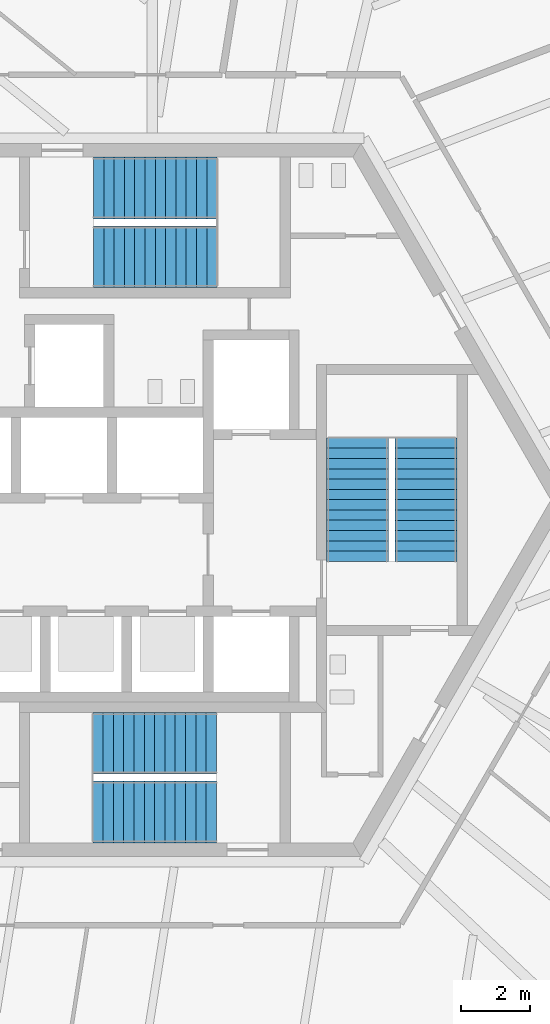
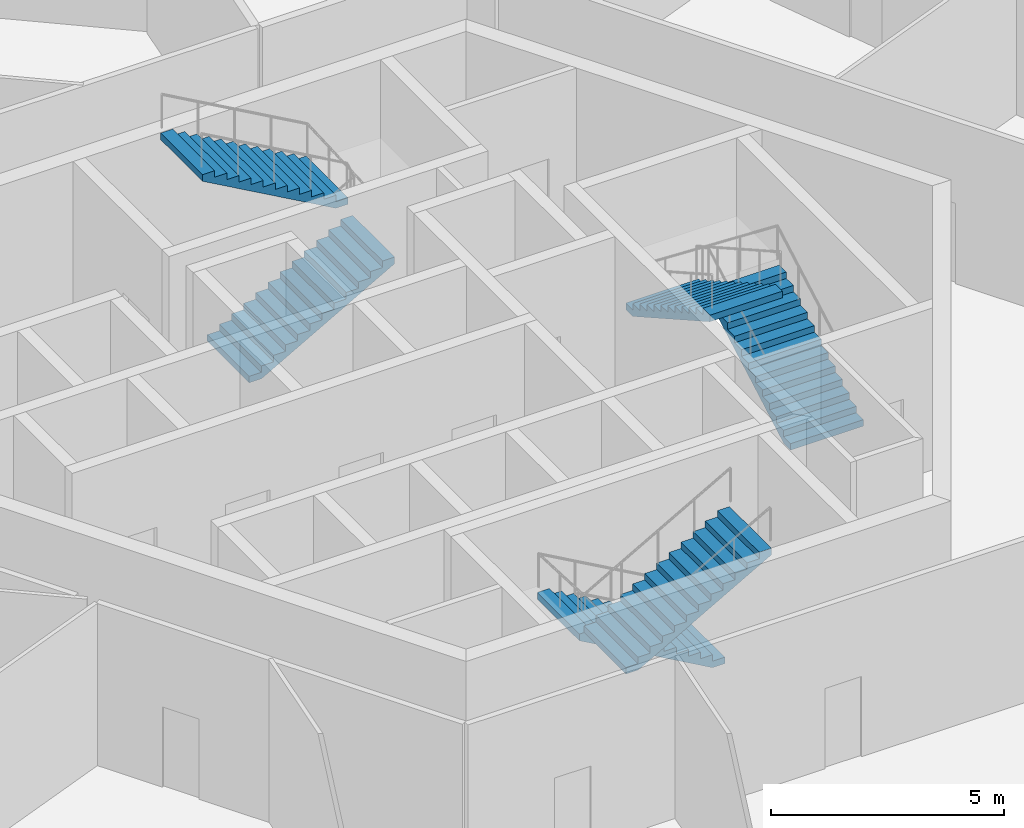
# One storey, part 17 of 22: 6 stair flights, 3 elements without a shape of their own.
"""IFC4 building model written with IfcOpenShell, lengths in metres."""

from ifc_helpers import new_model, si_unit, direction, frame, origin, place, context, subcontext, project, spatial, polyline, outline, extrude, source, transform, mapped, material, type_object, element, aggregate, save


model = new_model("IFC4")

# Units and contexts
model_context = context("Model", 3, precision=1e-05, world=origin(), true_north=direction((0.0, 1.0)))
body_context = subcontext(model_context, "Body", "Model", "MODEL_VIEW")
ifc_project = project(units=[si_unit("LENGTHUNIT", "METRE"), si_unit("AREAUNIT", "SQUARE_METRE"), si_unit("VOLUMEUNIT", "CUBIC_METRE"), si_unit("PLANEANGLEUNIT", "RADIAN"), si_unit("MASSUNIT", "GRAM", prefix="KILO")], contexts=[model_context])

# Site, building, storey
site_placement = place(None, origin())
site = spatial("IfcSite", under=ifc_project, at=site_placement, CompositionType="ELEMENT")
building_placement = place(site_placement, origin())
building = spatial("IfcBuilding", under=site, at=building_placement, Name="Triune Harvest Tower", CompositionType="ELEMENT")
storey_placement = place(building_placement, frame((0.0, 0.0, 138.10009765625)))
storey = spatial("IfcBuildingStorey", under=building, at=storey_placement, Name="L35", CompositionType="ELEMENT", Elevation=138.10009765625)

# Stair, stair flights
ifc_material_1 = material(Name="Concrete 40 MPa", Category="concrete")
stair_type = type_object("IfcStairType", Name="Exit stair 1800 half turn", PredefinedType="HALF_TURN_STAIR", material=ifc_material_1)
stair_1_placement = place(storey_placement, origin())
stair_1 = element("IfcStair", 1, at=stair_1_placement, inside=storey, type_object=stair_type, Name="Exit stair north", PredefinedType="HALF_TURN_STAIR")
ifc_material_2 = material(Name="Concrete 40 MPa", Category="concrete")
stair_flight_type = type_object("IfcStairFlightType", Name="Stair flight 1800", PredefinedType="STRAIGHT", material=ifc_material_2)
shared_shape = source(origin(), body_context, "Body", "SweptSolid", [
    extrude(outline(polyline([(0.0, 0.0), (0.0, 0.169189453125), (0.300048828125, 0.169189453125), (0.300048828125, 0.33837890625), (0.60009765625, 0.33837890625), (0.60009765625, 0.507568359375), (0.89990234375, 0.507568359375), (0.89990234375, 0.677001953125), (1.199951171875, 0.677001953125), (1.199951171875, 0.84619140625), (1.5, 0.84619140625), (1.5, 1.015380859375), (1.800048828125, 1.015380859375), (1.800048828125, 1.1845703125), (2.10009765625, 1.1845703125), (2.10009765625, 1.353759765625), (2.39990234375, 1.353759765625), (2.39990234375, 1.52294921875), (2.699951171875, 1.52294921875), (2.699951171875, 1.6923828125), (3.0, 1.6923828125), (3.0, 1.861572265625), (3.300048828125, 1.861572265625), (3.300048828125, 2.03076171875), (3.60009765625, 2.03076171875), (3.60009765625, 2.199951171875), (3.60009765625, 1.858642578125), (0.30517578125, 0.0), (0.0, 0.0)])), frame((0.0, 0.89990234375, 0.0), z_axis=(0.0, -1.0, 0.0), x_axis=(1.0, 0.0, 0.0)), (0.0, 0.0, 1.0), 1.800048828125),
])
stair_flight_1_placement = place(storey_placement, frame((-1.7900390625, 7.090087890625, 0.0), z_axis=(0.0, 0.0, 1.0), x_axis=(1.0, 0.0, 0.0)))
stair_flight_1 = element("IfcStairFlight", 2, at=stair_flight_1_placement, type_object=stair_flight_type, Name="ST-1 flight 1", NumberOfRisers=13, NumberOfTreads=12, PredefinedType="STRAIGHT", RiserHeight=0.16923, TreadLength=0.3, context=body_context, shape_type="MappedRepresentation", body=[
    mapped(shared_shape, transform((0.0, 0.0, 0.0), scale=1.0)),
])
stair_flight_2_placement = place(storey_placement, frame((1.81005859375, 9.090087890625, 2.199951171875), z_axis=(0.0, 0.0, 1.0), x_axis=(-1.0, 0.0, 0.0)))
stair_flight_2 = element("IfcStairFlight", 3, at=stair_flight_2_placement, type_object=stair_flight_type, Name="ST-1 flight 2", NumberOfRisers=13, NumberOfTreads=12, PredefinedType="STRAIGHT", RiserHeight=0.16923, TreadLength=0.3, context=body_context, shape_type="MappedRepresentation", body=[
    mapped(shared_shape, transform((0.0, 0.0, 0.0), scale=1.0)),
])
aggregate(stair_1, [stair_flight_1, stair_flight_2])

stair_2_placement = place(storey_placement, origin())
stair_2 = element("IfcStair", 4, at=stair_2_placement, inside=storey, type_object=stair_type, Name="Exit stair south", PredefinedType="HALF_TURN_STAIR")
stair_flight_3_placement = place(storey_placement, frame((1.7900390625, -7.090087890625, 0.0), z_axis=(0.0, 0.0, 1.0), x_axis=(-1.0, 0.0, 0.0)))
stair_flight_3 = element("IfcStairFlight", 5, at=stair_flight_3_placement, type_object=stair_flight_type, Name="ST-2 flight 1", NumberOfRisers=13, NumberOfTreads=12, PredefinedType="STRAIGHT", RiserHeight=0.16923, TreadLength=0.3, context=body_context, shape_type="MappedRepresentation", body=[
    mapped(shared_shape, transform((0.0, 0.0, 0.0), scale=1.0)),
])
stair_flight_4_placement = place(storey_placement, frame((-1.81005859375, -9.090087890625, 2.199951171875), z_axis=(0.0, 0.0, 1.0), x_axis=(1.0, 0.0, 0.0)))
stair_flight_4 = element("IfcStairFlight", 6, at=stair_flight_4_placement, type_object=stair_flight_type, Name="ST-2 flight 2", NumberOfRisers=13, NumberOfTreads=12, PredefinedType="STRAIGHT", RiserHeight=0.16923, TreadLength=0.3, context=body_context, shape_type="MappedRepresentation", body=[
    mapped(shared_shape, transform((0.0, 0.0, 0.0), scale=1.0)),
])
aggregate(stair_2, [stair_flight_3, stair_flight_4])

stair_3_placement = place(storey_placement, origin())
stair_3 = element("IfcStair", 7, at=stair_3_placement, inside=storey, type_object=stair_type, Name="Exit stair east", PredefinedType="HALF_TURN_STAIR")
stair_flight_5_placement = place(storey_placement, frame((7.89990234375, -1.7900390625, 0.0), z_axis=(0.0, 0.0, 1.0), x_axis=(0.0, 1.0, 0.0)))
stair_flight_5 = element("IfcStairFlight", 8, at=stair_flight_5_placement, type_object=stair_flight_type, Name="ST-3 flight 1", NumberOfRisers=13, NumberOfTreads=12, PredefinedType="STRAIGHT", RiserHeight=0.16923, TreadLength=0.3, context=body_context, shape_type="MappedRepresentation", body=[
    mapped(shared_shape, transform((0.0, 0.0, 0.0), scale=1.0)),
])
stair_flight_6_placement = place(storey_placement, frame((5.89990234375, 1.81005859375, 2.199951171875), z_axis=(0.0, 0.0, 1.0), x_axis=(0.0, -1.0, 0.0)))
stair_flight_6 = element("IfcStairFlight", 9, at=stair_flight_6_placement, type_object=stair_flight_type, Name="ST-3 flight 2", NumberOfRisers=13, NumberOfTreads=12, PredefinedType="STRAIGHT", RiserHeight=0.16923, TreadLength=0.3, context=body_context, shape_type="MappedRepresentation", body=[
    mapped(shared_shape, transform((0.0, 0.0, 0.0), scale=1.0)),
])
aggregate(stair_3, [stair_flight_5, stair_flight_6])

save(model, "model.ifc")
